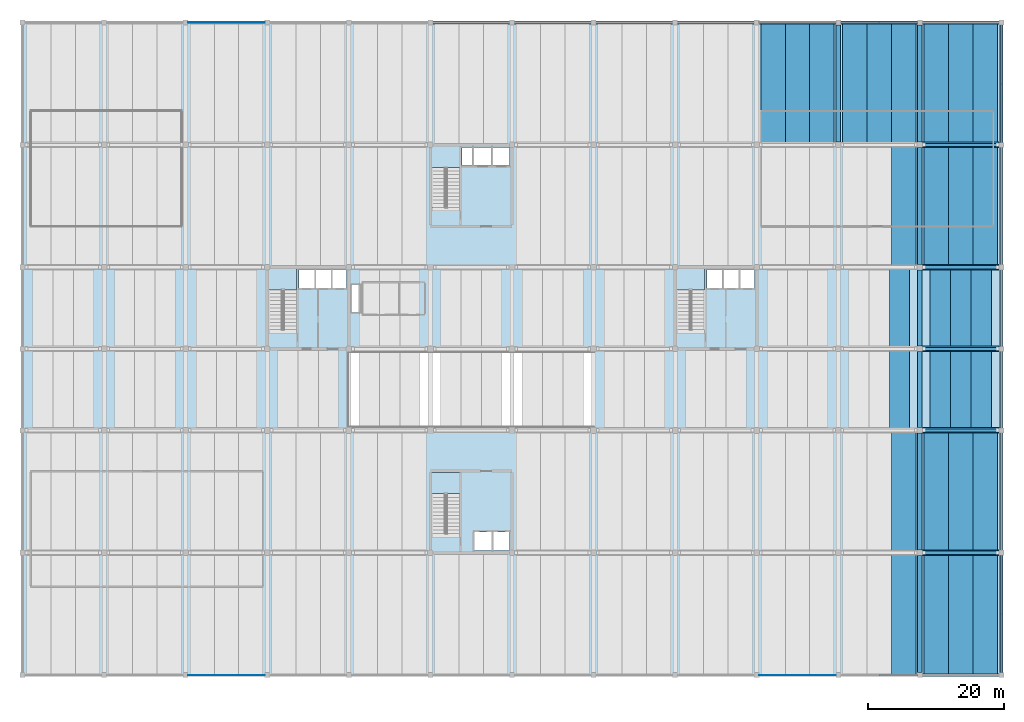
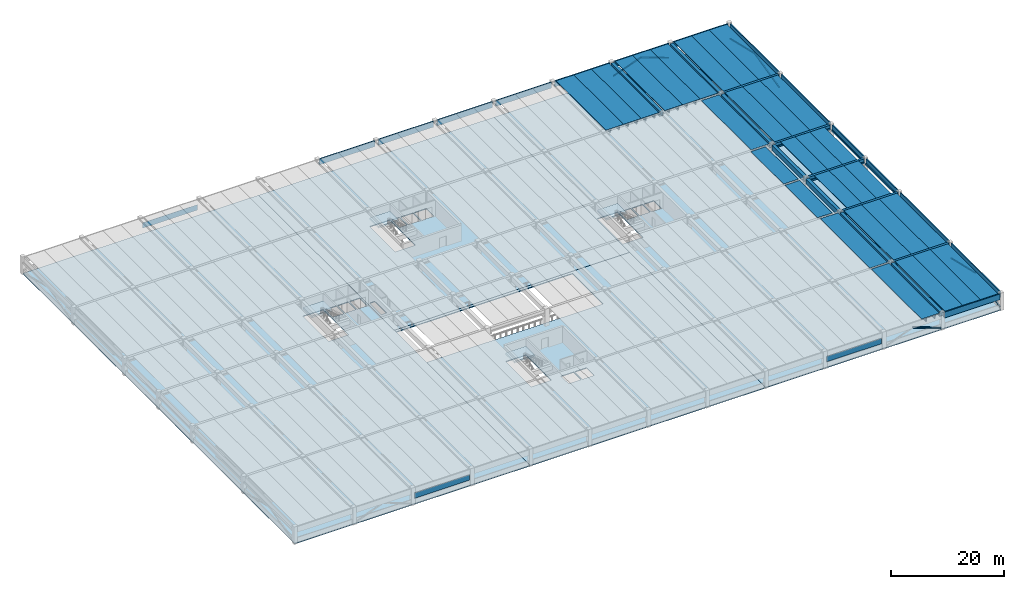
# One storey, part 5 of 16: 55 beams, 8 slabs, 7 members, 3 plates, 4 elements without a shape of their own.
"""IFC4 building model written with IfcOpenShell, lengths in metres."""

from ifc_helpers import new_model, si_unit, direction, frame, origin, origin_2d, place, context, subcontext, project, spatial, polyline, rectangle, hollow_rectangle, outline, extrude, material, layer, layer_set, material_profile, profile_set, type_object, element, aggregate, save


model = new_model("IFC4")

# Units and contexts
model_context = context("Model", 3, precision=1e-05, world=origin(), true_north=direction((0.0, 1.0)))
body_context = subcontext(model_context, "Body", "Model", "MODEL_VIEW")
ifc_project = project(units=[si_unit("LENGTHUNIT", "METRE"), si_unit("AREAUNIT", "SQUARE_METRE"), si_unit("VOLUMEUNIT", "CUBIC_METRE"), si_unit("PLANEANGLEUNIT", "RADIAN"), si_unit("MASSUNIT", "GRAM", prefix="KILO")], contexts=[model_context])

# Site, building, storey
site_placement = place(None, origin())
site = spatial("IfcSite", under=ifc_project, at=site_placement, CompositionType="ELEMENT")
building_placement = place(site_placement, origin())
building = spatial("IfcBuilding", under=site, at=building_placement, Name="Girod Span Mobility Hub", CompositionType="ELEMENT")
storey_placement = place(building_placement, frame((0.0, 0.0, 28.60009765625)))
storey = spatial("IfcBuildingStorey", under=building, at=storey_placement, Name="L07", CompositionType="ELEMENT", Elevation=28.60009765625)

# Beams
ifc_material_1 = material(Name="Concrete C50/60", Category="concrete")
ifc_material_profile_1 = material_profile(ifc_material_1, outline(polyline([(-1.5, 0.300048828125), (-1.5, 0.2099609375), (-0.8349609375, 0.2099609375), (-0.8125, -0.300048828125), (-0.6875, -0.300048828125), (-0.6650390625, 0.2099609375), (0.6650390625, 0.2099609375), (0.6875, -0.300048828125), (0.8125, -0.300048828125), (0.8349609375, 0.2099609375), (1.5, 0.2099609375), (1.5, 0.300048828125), (-1.5, 0.300048828125)])), Name="DT-3000X600")
ifc_profile_set_1 = profile_set([ifc_material_profile_1], Name="Concrete C50/60")
beam_type_1 = type_object("IfcBeamType", Name="BM-DT-3000X600", PredefinedType="JOIST", material=ifc_profile_set_1)
for number, where, z_axis, x_axis, name in (
    (1, (141.0, 45.22705078125, 3.25), (0.0, 1.0, 0.0), (-1.0, 0.0, 0.0), "Double-Tee Deck 12/D-3 L07"),
    (2, (141.0, 57.22705078125, 3.25), (0.0, 1.0, 0.0), (-1.0, 0.0, 0.0), "Double-Tee Deck 12/E-3 L07"),
    (3, (147.0, 45.22705078125, 3.27978515625), (0.0, 1.0, 0.0), (-1.0, 0.0, 0.0), "Double-Tee Deck 13/D-1 L07"),
    (4, (150.0, 45.22705078125, 3.27978515625), (0.0, 1.0, 0.0), (-1.0, 0.0, 0.0), "Double-Tee Deck 13/D-2 L07"),
    (5, (153.0, 45.22705078125, 3.27978515625), (0.0, 1.0, 0.0), (-1.0, 0.0, 0.0), "Double-Tee Deck 13/D-3 L07"),
    (6, (147.0, 57.22705078125, 3.27978515625), (0.0, 1.0, 0.0), (-1.0, 0.0, 0.0), "Double-Tee Deck 13/E-1 L07"),
    (7, (150.0, 57.22705078125, 3.27978515625), (0.0, 1.0, 0.0), (-1.0, 0.0, 0.0), "Double-Tee Deck 13/E-2 L07"),
    (8, (153.0, 57.22705078125, 3.27978515625), (0.0, 1.0, 0.0), (-1.0, 0.0, 0.0), "Double-Tee Deck 13/E-3 L07"),
):
    element("IfcBeam", number, at=place(storey_placement, frame(where, z_axis=z_axis, x_axis=x_axis)), inside=storey, type_object=beam_type_1, Name=name, PredefinedType="JOIST", context=body_context, shape_type="SweptSolid", body=[
        extrude(outline(polyline([(-1.5, 0.300048828125), (-1.5, 0.2099609375), (-0.8349609375, 0.2099609375), (-0.8125, -0.300048828125), (-0.6875, -0.300048828125), (-0.6650390625, 0.2099609375), (0.6650390625, 0.2099609375), (0.6875, -0.300048828125), (0.8125, -0.300048828125), (0.8349609375, 0.2099609375), (1.5, 0.2099609375), (1.5, 0.300048828125), (-1.5, 0.300048828125)])), origin(), (0.0, 0.0, 1.0), 11.5458984375),
    ])
ifc_material_2 = material(Name="Concrete C50/60", Category="concrete")
ifc_material_profile_2 = material_profile(ifc_material_2, outline(polyline([(-1.800048828125, 0.425048828125), (-1.800048828125, 0.324951171875), (-1.0, 0.324951171875), (-0.969970703125, -0.425048828125), (-0.830078125, -0.425048828125), (-0.800048828125, 0.324951171875), (0.800048828125, 0.324951171875), (0.830078125, -0.425048828125), (0.969970703125, -0.425048828125), (1.0, 0.324951171875), (1.800048828125, 0.324951171875), (1.800048828125, 0.425048828125), (-1.800048828125, 0.425048828125)])), Name="DT-3600X850")
ifc_profile_set_2 = profile_set([ifc_material_profile_2], Name="Concrete C50/60")
beam_type_2 = type_object("IfcBeamType", Name="BM-DT-3600X850", PredefinedType="JOIST", material=ifc_profile_set_2)
for number, where, z_axis, x_axis, name in (
    (9, (122.39990234375, 87.22705078125, 3.15478515625), (0.0, 1.0, 0.0), (-1.0, 0.0, 0.0), "Double-Tee Deck 11/G-1 L07"),
    (10, (126.0, 87.22705078125, 3.15478515625), (0.0, 1.0, 0.0), (-1.0, 0.0, 0.0), "Double-Tee Deck 11/G-2 L07"),
    (11, (129.60009765625, 87.22705078125, 3.15478515625), (0.0, 1.0, 0.0), (-1.0, 0.0, 0.0), "Double-Tee Deck 11/G-3 L07"),
):
    element("IfcBeam", number, at=place(storey_placement, frame(where, z_axis=z_axis, x_axis=x_axis)), inside=storey, type_object=beam_type_2, Name=name, PredefinedType="JOIST", context=body_context, shape_type="SweptSolid", body=[
        extrude(outline(polyline([(-1.800048828125, 0.425048828125), (-1.800048828125, 0.324951171875), (-1.0, 0.324951171875), (-0.969970703125, -0.425048828125), (-0.830078125, -0.425048828125), (-0.800048828125, 0.324951171875), (0.800048828125, 0.324951171875), (0.830078125, -0.425048828125), (0.969970703125, -0.425048828125), (1.0, 0.324951171875), (1.800048828125, 0.324951171875), (1.800048828125, 0.425048828125), (-1.800048828125, 0.425048828125)])), origin(), (0.0, 0.0, 1.0), 17.575927734375),
    ])
beam_1_placement = place(storey_placement, frame((141.60009765625, 9.01708984375, 3.15478515625), z_axis=(0.0, 1.0, 0.0), x_axis=(-1.0, 0.0, 0.0)))
element("IfcBeam", 12, at=beam_1_placement, inside=storey, type_object=beam_type_2, Name="Double-Tee Deck 12/B-3 L07", PredefinedType="JOIST", context=body_context, shape_type="SweptSolid", body=[
    extrude(outline(polyline([(-1.800048828125, 0.425048828125), (-1.800048828125, 0.324951171875), (-1.0, 0.324951171875), (-0.969970703125, -0.425048828125), (-0.830078125, -0.425048828125), (-0.800048828125, 0.324951171875), (0.800048828125, 0.324951171875), (0.830078125, -0.425048828125), (0.969970703125, -0.425048828125), (1.0, 0.324951171875), (1.800048828125, 0.324951171875), (1.800048828125, 0.425048828125), (-1.800048828125, 0.425048828125)])), origin(), (0.0, 0.0, 1.0), 17.755859375),
])
for number, where, z_axis, x_axis, name in (
    (13, (141.60009765625, 27.22705078125, 3.099853515625), (0.0, 1.0, 0.0), (-1.0, 0.0, 0.0), "Double-Tee Deck 12/C-3 L07"),
    (14, (141.60009765625, 69.22705078125, 3.099853515625), (0.0, 1.0, 0.0), (-1.0, 0.0, 0.0), "Double-Tee Deck 12/F-3 L07"),
):
    element("IfcBeam", number, at=place(storey_placement, frame(where, z_axis=z_axis, x_axis=x_axis)), inside=storey, type_object=beam_type_2, Name=name, PredefinedType="JOIST", context=body_context, shape_type="SweptSolid", body=[
        extrude(outline(polyline([(-1.800048828125, 0.425048828125), (-1.800048828125, 0.324951171875), (-1.0, 0.324951171875), (-0.969970703125, -0.425048828125), (-0.830078125, -0.425048828125), (-0.800048828125, 0.324951171875), (0.800048828125, 0.324951171875), (0.830078125, -0.425048828125), (0.969970703125, -0.425048828125), (1.0, 0.324951171875), (1.800048828125, 0.324951171875), (1.800048828125, 0.425048828125), (-1.800048828125, 0.425048828125)])), origin(), (0.0, 0.0, 1.0), 17.5458984375),
    ])
for number, where, z_axis, x_axis, name in (
    (15, (134.39990234375, 87.22705078125, 3.15478515625), (0.0, 1.0, 0.0), (-1.0, 0.0, 0.0), "Double-Tee Deck 12/G-1 L07"),
    (16, (138.0, 87.22705078125, 3.15478515625), (0.0, 1.0, 0.0), (-1.0, 0.0, 0.0), "Double-Tee Deck 12/G-2 L07"),
    (17, (141.60009765625, 87.22705078125, 3.15478515625), (0.0, 1.0, 0.0), (-1.0, 0.0, 0.0), "Double-Tee Deck 12/G-3 L07"),
):
    element("IfcBeam", number, at=place(storey_placement, frame(where, z_axis=z_axis, x_axis=x_axis)), inside=storey, type_object=beam_type_2, Name=name, PredefinedType="JOIST", context=body_context, shape_type="SweptSolid", body=[
        extrude(outline(polyline([(-1.800048828125, 0.425048828125), (-1.800048828125, 0.324951171875), (-1.0, 0.324951171875), (-0.969970703125, -0.425048828125), (-0.830078125, -0.425048828125), (-0.800048828125, 0.324951171875), (0.800048828125, 0.324951171875), (0.830078125, -0.425048828125), (0.969970703125, -0.425048828125), (1.0, 0.324951171875), (1.800048828125, 0.324951171875), (1.800048828125, 0.425048828125), (-1.800048828125, 0.425048828125)])), origin(), (0.0, 0.0, 1.0), 17.575927734375),
    ])
for number, where, z_axis, x_axis, name in (
    (18, (146.39990234375, 9.01708984375, 3.15478515625), (0.0, 1.0, 0.0), (-1.0, 0.0, 0.0), "Double-Tee Deck 13/B-1 L07"),
    (19, (150.0, 9.01708984375, 3.15478515625), (0.0, 1.0, 0.0), (-1.0, 0.0, 0.0), "Double-Tee Deck 13/B-2 L07"),
    (20, (153.60009765625, 9.01708984375, 3.15478515625), (0.0, 1.0, 0.0), (-1.0, 0.0, 0.0), "Double-Tee Deck 13/B-3 L07"),
):
    element("IfcBeam", number, at=place(storey_placement, frame(where, z_axis=z_axis, x_axis=x_axis)), inside=storey, type_object=beam_type_2, Name=name, PredefinedType="JOIST", context=body_context, shape_type="SweptSolid", body=[
        extrude(outline(polyline([(-1.800048828125, 0.425048828125), (-1.800048828125, 0.324951171875), (-1.0, 0.324951171875), (-0.969970703125, -0.425048828125), (-0.830078125, -0.425048828125), (-0.800048828125, 0.324951171875), (0.800048828125, 0.324951171875), (0.830078125, -0.425048828125), (0.969970703125, -0.425048828125), (1.0, 0.324951171875), (1.800048828125, 0.324951171875), (1.800048828125, 0.425048828125), (-1.800048828125, 0.425048828125)])), origin(), (0.0, 0.0, 1.0), 17.755859375),
    ])
for number, where, z_axis, x_axis, name in (
    (21, (146.39990234375, 27.22705078125, 3.15478515625), (0.0, 1.0, 0.0), (-1.0, 0.0, 0.0), "Double-Tee Deck 13/C-1 L07"),
    (22, (150.0, 27.22705078125, 3.15478515625), (0.0, 1.0, 0.0), (-1.0, 0.0, 0.0), "Double-Tee Deck 13/C-2 L07"),
    (23, (153.60009765625, 27.22705078125, 3.15478515625), (0.0, 1.0, 0.0), (-1.0, 0.0, 0.0), "Double-Tee Deck 13/C-3 L07"),
    (24, (146.39990234375, 69.22705078125, 3.15478515625), (0.0, 1.0, 0.0), (-1.0, 0.0, 0.0), "Double-Tee Deck 13/F-1 L07"),
    (25, (150.0, 69.22705078125, 3.15478515625), (0.0, 1.0, 0.0), (-1.0, 0.0, 0.0), "Double-Tee Deck 13/F-2 L07"),
    (26, (153.60009765625, 69.22705078125, 3.15478515625), (0.0, 1.0, 0.0), (-1.0, 0.0, 0.0), "Double-Tee Deck 13/F-3 L07"),
):
    element("IfcBeam", number, at=place(storey_placement, frame(where, z_axis=z_axis, x_axis=x_axis)), inside=storey, type_object=beam_type_2, Name=name, PredefinedType="JOIST", context=body_context, shape_type="SweptSolid", body=[
        extrude(outline(polyline([(-1.800048828125, 0.425048828125), (-1.800048828125, 0.324951171875), (-1.0, 0.324951171875), (-0.969970703125, -0.425048828125), (-0.830078125, -0.425048828125), (-0.800048828125, 0.324951171875), (0.800048828125, 0.324951171875), (0.830078125, -0.425048828125), (0.969970703125, -0.425048828125), (1.0, 0.324951171875), (1.800048828125, 0.324951171875), (1.800048828125, 0.425048828125), (-1.800048828125, 0.425048828125)])), origin(), (0.0, 0.0, 1.0), 17.5458984375),
    ])
for number, where, z_axis, x_axis, name in (
    (27, (146.39990234375, 87.22705078125, 3.15478515625), (0.0, 1.0, 0.0), (-1.0, 0.0, 0.0), "Double-Tee Deck 13/G-1 L07"),
    (28, (150.0, 87.22705078125, 3.15478515625), (0.0, 1.0, 0.0), (-1.0, 0.0, 0.0), "Double-Tee Deck 13/G-2 L07"),
    (29, (153.60009765625, 87.22705078125, 3.15478515625), (0.0, 1.0, 0.0), (-1.0, 0.0, 0.0), "Double-Tee Deck 13/G-3 L07"),
):
    element("IfcBeam", number, at=place(storey_placement, frame(where, z_axis=z_axis, x_axis=x_axis)), inside=storey, type_object=beam_type_2, Name=name, PredefinedType="JOIST", context=body_context, shape_type="SweptSolid", body=[
        extrude(outline(polyline([(-1.800048828125, 0.425048828125), (-1.800048828125, 0.324951171875), (-1.0, 0.324951171875), (-0.969970703125, -0.425048828125), (-0.830078125, -0.425048828125), (-0.800048828125, 0.324951171875), (0.800048828125, 0.324951171875), (0.830078125, -0.425048828125), (0.969970703125, -0.425048828125), (1.0, 0.324951171875), (1.800048828125, 0.324951171875), (1.800048828125, 0.425048828125), (-1.800048828125, 0.425048828125)])), origin(), (0.0, 0.0, 1.0), 17.575927734375),
    ])
ifc_material_3 = material(Name="Concrete C50/60", Category="concrete")
ifc_material_profile_3 = material_profile(ifc_material_3, outline(polyline([(-0.39990234375, -0.449951171875), (0.39990234375, -0.449951171875), (0.39990234375, -0.14990234375), (0.22998046875, -0.14990234375), (0.22998046875, 0.449951171875), (-0.22998046875, 0.449951171875), (-0.22998046875, -0.14990234375), (-0.39990234375, -0.14990234375), (-0.39990234375, -0.449951171875)])), Name="IT-800X900")
ifc_profile_set_3 = profile_set([ifc_material_profile_3], Name="Concrete C50/60")
beam_type_3 = type_object("IfcBeamType", Name="BM-IT-800X900", PredefinedType="T_BEAM", material=ifc_profile_set_3)
for number, where, z_axis, x_axis, name in (
    (30, (144.39697265625, 27.0, 3.1298828125), (1.0, 0.0, 0.0), (0.0, 1.0, 0.0), "Girder 13-14/C L07"),
    (31, (144.39697265625, 45.0, 3.1298828125), (1.0, 0.0, 0.0), (0.0, 1.0, 0.0), "Girder 13-14/D L07"),
    (32, (144.39697265625, 57.0, 3.1298828125), (1.0, 0.0, 0.0), (0.0, 1.0, 0.0), "Girder 13-14/E L07"),
    (33, (144.39697265625, 69.0, 3.1298828125), (1.0, 0.0, 0.0), (0.0, 1.0, 0.0), "Girder 13-14/F L07"),
    (34, (144.39697265625, 87.0, 3.1298828125), (1.0, 0.0, 0.0), (0.0, 1.0, 0.0), "Girder 13-14/G L07"),
):
    element("IfcBeam", number, at=place(storey_placement, frame(where, z_axis=z_axis, x_axis=x_axis)), inside=storey, type_object=beam_type_3, Name=name, PredefinedType="T_BEAM", context=body_context, shape_type="SweptSolid", body=[
        extrude(outline(polyline([(-0.39990234375, -0.449951171875), (0.39990234375, -0.449951171875), (0.39990234375, -0.14990234375), (0.22998046875, -0.14990234375), (0.22998046875, 0.449951171875), (-0.22998046875, 0.449951171875), (-0.22998046875, -0.14990234375), (-0.39990234375, -0.14990234375), (-0.39990234375, -0.449951171875)])), origin(), (0.0, 0.0, 1.0), 11.23095703125),
    ])
ifc_material_4 = material(Name="Concrete C40/50", Category="concrete")
ifc_material_profile_4 = material_profile(ifc_material_4, outline(polyline([(-0.199951171875, -0.625), (0.199951171875, -0.625), (0.199951171875, -0.304931640625), (0.02001953125, -0.304931640625), (0.02001953125, 0.625), (-0.199951171875, 0.625), (-0.199951171875, -0.625)])), Name="SP-400X1250")
ifc_profile_set_4 = profile_set([ifc_material_profile_4], Name="Concrete C40/50")
beam_type_4 = type_object("IfcBeamType", Name="BM-SP-400X1250", PredefinedType="SPANDREL", material=ifc_profile_set_4)
for number, where, z_axis, x_axis, name in (
    (35, (144.3720703125, 9.0, 2.954833984375), (1.0, 0.0, 0.0), (0.0, 1.0, 0.0), "Girder 13-14/B L07"),
    (36, (72.3720703125, 105.0, 2.954833984375), (1.0, 0.0, 0.0), (0.0, 1.0, 0.0), "Girder 7-8/H L07"),
    (37, (84.3720703125, 105.0, 2.954833984375), (1.0, 0.0, 0.0), (0.0, 1.0, 0.0), "Girder 8-9/H L07"),
    (38, (96.3720703125, 105.0, 2.954833984375), (1.0, 0.0, 0.0), (0.0, 1.0, 0.0), "Girder 9-10/H L07"),
    (39, (108.3720703125, 105.0, 2.954833984375), (1.0, 0.0, 0.0), (0.0, 1.0, 0.0), "Girder 10-11/H L07"),
    (40, (120.3720703125, 105.0, 2.954833984375), (1.0, 0.0, 0.0), (0.0, 1.0, 0.0), "Girder 11-12/H L07"),
    (41, (132.3720703125, 105.0, 2.954833984375), (1.0, 0.0, 0.0), (0.0, 1.0, 0.0), "Girder 12-13/H L07"),
    (42, (144.3720703125, 105.0, 2.954833984375), (1.0, 0.0, 0.0), (0.0, 1.0, 0.0), "Girder 13-14/H L07"),
):
    element("IfcBeam", number, at=place(storey_placement, frame(where, z_axis=z_axis, x_axis=x_axis)), inside=storey, type_object=beam_type_4, Name=name, PredefinedType="SPANDREL", context=body_context, shape_type="SweptSolid", body=[
        extrude(outline(polyline([(-0.199951171875, -0.625), (0.199951171875, -0.625), (0.199951171875, -0.304931640625), (0.02001953125, -0.304931640625), (0.02001953125, 0.625), (-0.199951171875, 0.625), (-0.199951171875, -0.625)])), origin(), (0.0, 0.0, 1.0), 11.255859375),
    ])
for number, where, z_axis, x_axis, name in (
    (43, (156.0, 9.3720703125, 2.954833984375), (0.0, 1.0, 0.0), (-1.0, 0.0, 0.0), "Tie Girder 14/B-C L07"),
    (44, (156.0, 27.3720703125, 2.954833984375), (0.0, 1.0, 0.0), (-1.0, 0.0, 0.0), "Tie Girder 14/C-D L07"),
):
    element("IfcBeam", number, at=place(storey_placement, frame(where, z_axis=z_axis, x_axis=x_axis)), inside=storey, type_object=beam_type_4, Name=name, PredefinedType="SPANDREL", context=body_context, shape_type="SweptSolid", body=[
        extrude(outline(polyline([(-0.199951171875, -0.625), (0.199951171875, -0.625), (0.199951171875, -0.304931640625), (0.02001953125, -0.304931640625), (0.02001953125, 0.625), (-0.199951171875, 0.625), (-0.199951171875, -0.625)])), origin(), (0.0, 0.0, 1.0), 17.255859375),
    ])
for number, where, z_axis, x_axis, name in (
    (45, (156.0, 45.3720703125, 2.954833984375), (0.0, 1.0, 0.0), (-1.0, 0.0, 0.0), "Tie Girder 14/D-E L07"),
    (46, (156.0, 57.3720703125, 2.954833984375), (0.0, 1.0, 0.0), (-1.0, 0.0, 0.0), "Tie Girder 14/E-F L07"),
):
    element("IfcBeam", number, at=place(storey_placement, frame(where, z_axis=z_axis, x_axis=x_axis)), inside=storey, type_object=beam_type_4, Name=name, PredefinedType="SPANDREL", context=body_context, shape_type="SweptSolid", body=[
        extrude(outline(polyline([(-0.199951171875, -0.625), (0.199951171875, -0.625), (0.199951171875, -0.304931640625), (0.02001953125, -0.304931640625), (0.02001953125, 0.625), (-0.199951171875, 0.625), (-0.199951171875, -0.625)])), origin(), (0.0, 0.0, 1.0), 11.255859375),
    ])
for number, where, z_axis, x_axis, name in (
    (47, (156.0, 69.3720703125, 2.954833984375), (0.0, 1.0, 0.0), (-1.0, 0.0, 0.0), "Tie Girder 14/F-G L07"),
    (48, (156.0, 87.3720703125, 2.954833984375), (0.0, 1.0, 0.0), (-1.0, 0.0, 0.0), "Tie Girder 14/G-H L07"),
):
    element("IfcBeam", number, at=place(storey_placement, frame(where, z_axis=z_axis, x_axis=x_axis)), inside=storey, type_object=beam_type_4, Name=name, PredefinedType="SPANDREL", context=body_context, shape_type="SweptSolid", body=[
        extrude(outline(polyline([(-0.199951171875, -0.625), (0.199951171875, -0.625), (0.199951171875, -0.304931640625), (0.02001953125, -0.304931640625), (0.02001953125, 0.625), (-0.199951171875, 0.625), (-0.199951171875, -0.625)])), origin(), (0.0, 0.0, 1.0), 17.255859375),
    ])
ifc_material_5 = material(Name="Concrete C40/50", Category="concrete")
ifc_material_profile_5 = material_profile(ifc_material_5, rectangle(XDim=0.64990234375, YDim=1.0, at=origin_2d()), Name="TG-650X1000")
ifc_profile_set_5 = profile_set([ifc_material_profile_5], Name="Concrete C40/50")
beam_type_5 = type_object("IfcBeamType", Name="BM-TG-650X1000", PredefinedType="T_BEAM", material=ifc_profile_set_5)
for number, where, z_axis, x_axis, name in (
    (49, (132.0, 87.39697265625, 3.079833984375), (0.0, 1.0, 0.0), (-1.0, 0.0, 0.0), "Tie Girder 12/G-H L07"),
    (50, (144.0, 9.3720703125, 3.079833984375), (0.0, 1.0, 0.0), (-1.0, 0.0, 0.0), "Tie Girder 13/B-C L07"),
):
    element("IfcBeam", number, at=place(storey_placement, frame(where, z_axis=z_axis, x_axis=x_axis)), inside=storey, type_object=beam_type_5, Name=name, PredefinedType="T_BEAM", context=body_context, shape_type="SweptSolid", body=[
        extrude(rectangle(XDim=0.64990234375, YDim=1.0, at=origin_2d()), origin(), (0.0, 0.0, 1.0), 17.23095703125),
    ])
beam_2_placement = place(storey_placement, frame((144.0, 27.39697265625, 3.0498046875), z_axis=(0.0, 1.0, 0.0), x_axis=(-1.0, 0.0, 0.0)))
element("IfcBeam", 51, at=beam_2_placement, inside=storey, type_object=beam_type_5, Name="Tie Girder 13/C-D L07", PredefinedType="T_BEAM", context=body_context, shape_type="SweptSolid", body=[
    extrude(rectangle(XDim=0.64990234375, YDim=1.0, at=origin_2d()), origin(), (0.0, 0.0, 1.0), 17.2060546875),
])
for number, where, z_axis, x_axis, name in (
    (52, (144.0, 45.39697265625, 3.0498046875), (0.0, 1.0, 0.0), (-1.0, 0.0, 0.0), "Tie Girder 13/D-E L07"),
    (53, (144.0, 57.39697265625, 3.0498046875), (0.0, 1.0, 0.0), (-1.0, 0.0, 0.0), "Tie Girder 13/E-F L07"),
):
    element("IfcBeam", number, at=place(storey_placement, frame(where, z_axis=z_axis, x_axis=x_axis)), inside=storey, type_object=beam_type_5, Name=name, PredefinedType="T_BEAM", context=body_context, shape_type="SweptSolid", body=[
        extrude(rectangle(XDim=0.64990234375, YDim=1.0, at=origin_2d()), origin(), (0.0, 0.0, 1.0), 11.2060546875),
    ])
beam_3_placement = place(storey_placement, frame((144.0, 69.39697265625, 3.0498046875), z_axis=(0.0, 1.0, 0.0), x_axis=(-1.0, 0.0, 0.0)))
element("IfcBeam", 54, at=beam_3_placement, inside=storey, type_object=beam_type_5, Name="Tie Girder 13/F-G L07", PredefinedType="T_BEAM", context=body_context, shape_type="SweptSolid", body=[
    extrude(rectangle(XDim=0.64990234375, YDim=1.0, at=origin_2d()), origin(), (0.0, 0.0, 1.0), 17.2060546875),
])
beam_4_placement = place(storey_placement, frame((144.0, 87.39697265625, 3.079833984375), z_axis=(0.0, 1.0, 0.0), x_axis=(-1.0, 0.0, 0.0)))
element("IfcBeam", 55, at=beam_4_placement, inside=storey, type_object=beam_type_5, Name="Tie Girder 13/G-H L07", PredefinedType="T_BEAM", context=body_context, shape_type="SweptSolid", body=[
    extrude(rectangle(XDim=0.64990234375, YDim=1.0, at=origin_2d()), origin(), (0.0, 0.0, 1.0), 17.23095703125),
])

# Members
ifc_material_6 = material(Name="Steel HSS A500 Grade C", Category="steel")
ifc_material_profile_6 = material_profile(ifc_material_6, hollow_rectangle(XDim=0.25390625, YDim=0.25390625, WallThickness=0.01171875, InnerFilletRadius=0.01171875, OuterFilletRadius=0.023681640625, at=origin_2d()), Name="HSS254X254X12.7")
ifc_profile_set_6 = profile_set([ifc_material_profile_6], Name="Steel HSS A500 Grade C")
member_type = type_object("IfcMemberType", Name="MB-BR-HSS254", PredefinedType="BRACE", material=ifc_profile_set_6)
for number, where, z_axis, x_axis, name in (
    (56, (143.64501953125, 9.0, 0.349853515625), (-0.939401354378, 0.0, 0.342819333459), (0.0, -1.0, 0.0), "Perimeter Chevron Brace 12/B-R L07"),
    (57, (132.35498046875, 105.0, 0.349853515625), (0.939401354378, 0.0, 0.342819333459), (0.0, 1.0, 0.0), "Perimeter Chevron Brace 12/H-L L07"),
    (58, (143.64501953125, 105.0, 0.349853515625), (-0.939401354378, 0.0, 0.342819333459), (0.0, -1.0, 0.0), "Perimeter Chevron Brace 12/H-R L07"),
):
    element("IfcMember", number, at=place(storey_placement, frame(where, z_axis=z_axis, x_axis=x_axis)), inside=storey, type_object=member_type, Name=name, PredefinedType="BRACE", context=body_context, shape_type="SweptSolid", body=[
        extrude(hollow_rectangle(XDim=0.25390625, YDim=0.25390625, WallThickness=0.01171875, InnerFilletRadius=0.01171875, OuterFilletRadius=0.023681640625, at=origin_2d()), origin(), (0.0, 0.0, 1.0), 6.00927734375),
    ])
for number, where, z_axis, x_axis, name in (
    (59, (156.0, 9.35498046875, 0.349853515625), (0.0, 0.972762573306, 0.231803744523), (-1.0, 0.0, 0.0), "Side Chevron Brace 14/B-S L07"),
    (60, (156.0, 26.64501953125, 0.349853515625), (0.0, -0.972762573306, 0.231803744523), (1.0, 0.0, 0.0), "Side Chevron Brace 14/B-N L07"),
    (61, (156.0, 87.35498046875, 0.349853515625), (0.0, 0.972762573306, 0.231803744523), (-1.0, 0.0, 0.0), "Side Chevron Brace 14/G-S L07"),
    (62, (156.0, 104.64501953125, 0.349853515625), (0.0, -0.972762573306, 0.231803744523), (1.0, 0.0, 0.0), "Side Chevron Brace 14/G-N L07"),
):
    element("IfcMember", number, at=place(storey_placement, frame(where, z_axis=z_axis, x_axis=x_axis)), inside=storey, type_object=member_type, Name=name, PredefinedType="BRACE", context=body_context, shape_type="SweptSolid", body=[
        extrude(hollow_rectangle(XDim=0.25390625, YDim=0.25390625, WallThickness=0.01171875, InnerFilletRadius=0.01171875, OuterFilletRadius=0.023681640625, at=origin_2d()), origin(), (0.0, 0.0, 1.0), 8.886962890625),
    ])

# Plates
ifc_material_7 = material(Name="Perforated Powder-Coated Aluminium Sheet", Category="aluminium")
ifc_layer_1 = layer(ifc_material_7, 0.028076171875)
ifc_layer_set_1 = layer_set([ifc_layer_1], Name="Perforated Powder-Coated Aluminium Sheet")
plate_type = type_object("IfcPlateType", Name="PLT-CLD-11254X1180X28", PredefinedType="USERDEFINED", material=ifc_layer_set_1)
for number, where, z_axis, x_axis, name in (
    (63, (42.0, 9.0, 1.14990234375), (0.0, 0.0, 1.0), (1.0, 0.0, 0.0), "Perforated Aluminium Cladding Panel S-4 L07"),
    (64, (126.0, 9.0, 1.14990234375), (0.0, 0.0, 1.0), (1.0, 0.0, 0.0), "Perforated Aluminium Cladding Panel S-11 L07"),
    (65, (42.0, 105.0, 1.14990234375), (0.0, 0.0, 1.0), (1.0, 0.0, 0.0), "Perforated Aluminium Cladding Panel N-4 L07"),
):
    element("IfcPlate", number, at=place(storey_placement, frame(where, z_axis=z_axis, x_axis=x_axis)), inside=storey, type_object=plate_type, Name=name, ObjectType="CLADDING", PredefinedType="USERDEFINED", context=body_context, shape_type="SweptSolid", body=[
        extrude(rectangle(XDim=11.25390625, YDim=0.028076171875, at=origin_2d()), origin(), (0.0, 0.0, 1.0), 1.179931640625),
    ])

# Slabs
ifc_material_8 = material(Name="Concrete C40/50", Category="concrete")
ifc_layer_2 = layer(ifc_material_8, 0.175048828125)
ifc_layer_set_2 = layer_set([ifc_layer_2], Name="Concrete C40/50")
slab_type_1 = type_object("IfcSlabType", Name="SL-FLR-175", PredefinedType="FLOOR", material=ifc_layer_set_2)
slab_1_placement = place(storey_placement, frame((0.0, 0.0, -0.175048828125)))
element("IfcSlab", 66, at=slab_1_placement, inside=storey, type_object=slab_type_1, Name="Floor Slab L07 Sector W", PredefinedType="FLOOR", context=body_context, shape_type="SweptSolid", body=[
    extrude(outline(polyline([(12.0, 105.0), (60.0, 105.0), (60.0, 56.39990234375), (60.0, 45.60009765625), (60.0, 9.0), (12.0, 9.0), (12.0, 105.0)]), holes=[polyline([(48.219970703125, 68.820068359375), (48.219970703125, 59.8349609375), (52.340087890625, 59.8349609375), (52.340087890625, 68.820068359375), (48.219970703125, 68.820068359375)]), polyline([(52.64990234375, 68.64990234375), (52.64990234375, 65.949951171875), (54.949951171875, 65.949951171875), (54.949951171875, 68.64990234375), (52.64990234375, 68.64990234375)]), polyline([(55.199951171875, 68.64990234375), (55.199951171875, 65.949951171875), (57.35009765625, 65.949951171875), (57.35009765625, 68.64990234375), (55.199951171875, 68.64990234375)]), polyline([(57.60009765625, 68.64990234375), (57.60009765625, 65.949951171875), (59.64990234375, 65.949951171875), (59.64990234375, 68.64990234375), (57.60009765625, 68.64990234375)])]), origin(), (0.0, 0.0, 1.0), 0.175048828125),
])
slab_2_placement = place(storey_placement, frame((0.0, 0.0, -0.175048828125)))
element("IfcSlab", 67, at=slab_2_placement, inside=storey, type_object=slab_type_1, Name="Floor Slab L07 Sector CS", PredefinedType="FLOOR", context=body_context, shape_type="SweptSolid", body=[
    extrude(outline(polyline([(60.0, 9.0), (60.0, 45.60009765625), (96.0, 45.60009765625), (96.0, 56.39990234375), (60.0, 56.39990234375), (60.0, 57.0), (108.0, 57.0), (108.0, 9.0), (60.0, 9.0)]), holes=[polyline([(72.219970703125, 38.820068359375), (72.219970703125, 29.8349609375), (76.340087890625, 29.8349609375), (76.340087890625, 38.820068359375), (72.219970703125, 38.820068359375)]), polyline([(78.449951171875, 30.050048828125), (78.449951171875, 27.35009765625), (81.0, 27.35009765625), (81.0, 30.050048828125), (78.449951171875, 30.050048828125)]), polyline([(81.25, 30.050048828125), (81.25, 27.35009765625), (83.64990234375, 27.35009765625), (83.64990234375, 30.050048828125), (81.25, 30.050048828125)])]), origin(), (0.0, 0.0, 1.0), 0.175048828125),
])
slab_3_placement = place(storey_placement, frame((0.0, 0.0, -0.175048828125)))
element("IfcSlab", 68, at=slab_3_placement, inside=storey, type_object=slab_type_1, Name="Floor Slab L07 Sector CN", PredefinedType="FLOOR", context=body_context, shape_type="SweptSolid", body=[
    extrude(outline(polyline([(108.0, 105.0), (108.0, 57.0), (60.0, 57.0), (60.0, 105.0), (108.0, 105.0)]), holes=[polyline([(60.449951171875, 66.449951171875), (60.449951171875, 62.35009765625), (61.47998046875, 62.35009765625), (61.47998046875, 66.449951171875), (60.449951171875, 66.449951171875)]), polyline([(72.219970703125, 86.820068359375), (72.219970703125, 77.8349609375), (76.340087890625, 77.8349609375), (76.340087890625, 86.820068359375), (72.219970703125, 86.820068359375)]), polyline([(76.64990234375, 86.64990234375), (76.64990234375, 83.949951171875), (78.14990234375, 83.949951171875), (78.14990234375, 86.64990234375), (76.64990234375, 86.64990234375)]), polyline([(80.949951171875, 86.64990234375), (78.39990234375, 86.64990234375), (78.39990234375, 83.949951171875), (80.949951171875, 83.949951171875), (80.949951171875, 86.64990234375)]), polyline([(83.64990234375, 86.64990234375), (81.199951171875, 86.64990234375), (81.199951171875, 83.949951171875), (83.64990234375, 83.949951171875), (83.64990234375, 86.64990234375)])]), origin(), (0.0, 0.0, 1.0), 0.175048828125),
])
slab_4_placement = place(storey_placement, frame((0.0, 0.0, -0.175048828125)))
element("IfcSlab", 69, at=slab_4_placement, inside=storey, type_object=slab_type_1, Name="Floor Slab L07 Sector E", PredefinedType="FLOOR", context=body_context, shape_type="SweptSolid", body=[
    extrude(outline(polyline([(156.0, 105.0), (156.0, 9.0), (108.0, 9.0), (108.0, 105.0), (156.0, 105.0)]), holes=[polyline([(108.219970703125, 68.820068359375), (108.219970703125, 59.8349609375), (112.340087890625, 59.8349609375), (112.340087890625, 68.820068359375), (108.219970703125, 68.820068359375)]), polyline([(112.64990234375, 68.64990234375), (112.64990234375, 65.949951171875), (114.949951171875, 65.949951171875), (114.949951171875, 68.64990234375), (112.64990234375, 68.64990234375)]), polyline([(115.199951171875, 68.64990234375), (115.199951171875, 65.949951171875), (117.35009765625, 65.949951171875), (117.35009765625, 68.64990234375), (115.199951171875, 68.64990234375)]), polyline([(117.60009765625, 68.64990234375), (117.60009765625, 65.949951171875), (119.64990234375, 65.949951171875), (119.64990234375, 68.64990234375), (117.60009765625, 68.64990234375)])]), origin(), (0.0, 0.0, 1.0), 0.175048828125),
])

# Stair, slab
ifc_material_9 = material(Name="Concrete C40/50", Category="concrete")
stair_type = type_object("IfcStairType", Name="STR-3800-W1860", PredefinedType="HALF_TURN_STAIR", material=ifc_material_9)
stair_1_placement = place(storey_placement, origin())
stair_1 = element("IfcStair", 70, at=stair_1_placement, inside=storey, type_object=stair_type, Name="Exit Stair ST-1 L07", PredefinedType="HALF_TURN_STAIR")
ifc_material_10 = material(Name="Concrete C40/50", Category="concrete")
ifc_layer_3 = layer(ifc_material_10, 0.3798828125)
ifc_layer_set_3 = layer_set([ifc_layer_3], Name="Concrete C40/50")
slab_type_2 = type_object("IfcSlabType", Name="SL-LND-380", PredefinedType="LANDING", material=ifc_layer_set_3)
slab_5_placement = place(storey_placement, frame((0.0, 0.0, 1.52001953125)))
slab_5 = element("IfcSlab", 71, at=slab_5_placement, type_object=slab_type_2, Name="Stair ST-1 Half-Landing L07", PredefinedType="LANDING", context=body_context, shape_type="SweptSolid", body=[
    extrude(outline(polyline([(52.3349609375, 65.68603515625), (52.3349609375, 68.784912109375), (48.215087890625, 68.784912109375), (48.215087890625, 65.68603515625), (52.3349609375, 65.68603515625)])), origin(), (0.0, 0.0, 1.0), 0.3798828125),
])
aggregate(stair_1, [slab_5])

stair_2_placement = place(storey_placement, origin())
stair_2 = element("IfcStair", 72, at=stair_2_placement, inside=storey, type_object=stair_type, Name="Exit Stair ST-2 L07", PredefinedType="HALF_TURN_STAIR")
slab_6_placement = place(storey_placement, frame((0.0, 0.0, 1.52001953125)))
slab_6 = element("IfcSlab", 73, at=slab_6_placement, type_object=slab_type_2, Name="Stair ST-2 Half-Landing L07", PredefinedType="LANDING", context=body_context, shape_type="SweptSolid", body=[
    extrude(outline(polyline([(112.3349609375, 65.68603515625), (112.3349609375, 68.784912109375), (108.215087890625, 68.784912109375), (108.215087890625, 65.68603515625), (112.3349609375, 65.68603515625)])), origin(), (0.0, 0.0, 1.0), 0.3798828125),
])
aggregate(stair_2, [slab_6])

stair_3_placement = place(storey_placement, origin())
stair_3 = element("IfcStair", 74, at=stair_3_placement, inside=storey, type_object=stair_type, Name="Exit Stair ST-3 L07", PredefinedType="HALF_TURN_STAIR")
slab_7_placement = place(storey_placement, frame((0.0, 0.0, 1.52001953125)))
slab_7 = element("IfcSlab", 75, at=slab_7_placement, type_object=slab_type_2, Name="Stair ST-3 Half-Landing L07", PredefinedType="LANDING", context=body_context, shape_type="SweptSolid", body=[
    extrude(outline(polyline([(76.3349609375, 35.68603515625), (76.3349609375, 38.81005859375), (72.18994140625, 38.81005859375), (72.18994140625, 35.68603515625), (76.3349609375, 35.68603515625)])), origin(), (0.0, 0.0, 1.0), 0.3798828125),
])
aggregate(stair_3, [slab_7])

stair_4_placement = place(storey_placement, origin())
stair_4 = element("IfcStair", 76, at=stair_4_placement, inside=storey, type_object=stair_type, Name="Exit Stair ST-4 L07", PredefinedType="HALF_TURN_STAIR")
slab_8_placement = place(storey_placement, frame((0.0, 0.0, 1.52001953125)))
slab_8 = element("IfcSlab", 77, at=slab_8_placement, type_object=slab_type_2, Name="Stair ST-4 Half-Landing L07", PredefinedType="LANDING", context=body_context, shape_type="SweptSolid", body=[
    extrude(outline(polyline([(76.3349609375, 83.68603515625), (76.3349609375, 86.81005859375), (72.18994140625, 86.81005859375), (72.18994140625, 83.68603515625), (76.3349609375, 83.68603515625)])), origin(), (0.0, 0.0, 1.0), 0.3798828125),
])
aggregate(stair_4, [slab_8])

save(model, "model.ifc")
